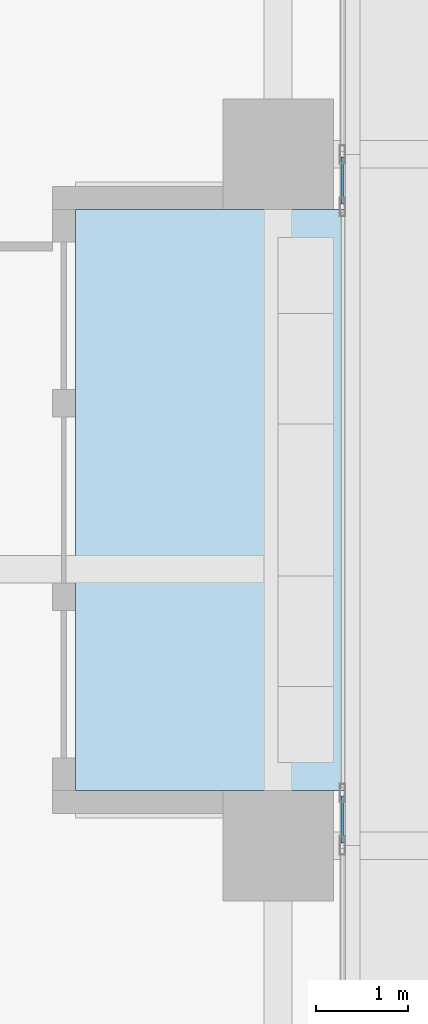
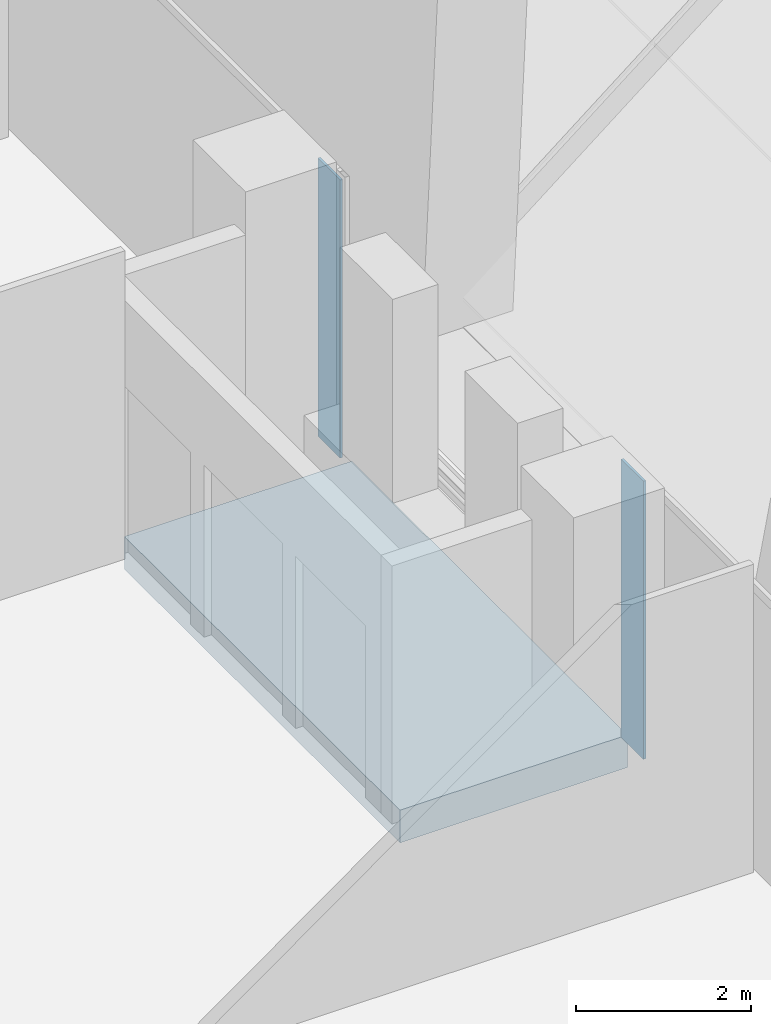
# One storey, part 29 of 46: 2 plates, 1 slab, 2 elements without a shape of their own.
"""IFC4 building model written with IfcOpenShell, lengths in metres."""

from ifc_helpers import new_model, si_unit, direction, frame, origin, origin_2d, place, context, subcontext, project, spatial, polyline, rectangle, outline, extrude, source, transform, mapped, material, layer, layer_set, type_object, element, aggregate, save


model = new_model("IFC4")

# Units and contexts
model_context = context("Model", 3, precision=1e-05, world=origin(), true_north=direction((0.0, 1.0)))
body_context = subcontext(model_context, "Body", "Model", "MODEL_VIEW")
ifc_project = project(units=[si_unit("LENGTHUNIT", "METRE"), si_unit("AREAUNIT", "SQUARE_METRE"), si_unit("VOLUMEUNIT", "CUBIC_METRE"), si_unit("PLANEANGLEUNIT", "RADIAN"), si_unit("MASSUNIT", "GRAM", prefix="KILO")], contexts=[model_context])

# Site, building, storey
site_placement = place(None, origin())
site = spatial("IfcSite", under=ifc_project, at=site_placement, CompositionType="ELEMENT")
building_placement = place(site_placement, origin())
building = spatial("IfcBuilding", under=site, at=building_placement, Name="Khomas Fold Tower", CompositionType="ELEMENT")
storey_placement = place(building_placement, frame((0.0, 0.0, 33.0)))
storey = spatial("IfcBuildingStorey", under=building, at=storey_placement, Name="L06", CompositionType="ELEMENT", Elevation=33.0)

# Curtain wall, plate
ifc_material_1 = material(Name="Aluminium framed double glazing", Category="aluminium")
curtain_wall_type = type_object("IfcCurtainWallType", Name="SK-Unitised clear-glass wall, growing floors CW1", PredefinedType="NOTDEFINED", material=ifc_material_1)
curtain_wall_1_placement = place(storey_placement, origin())
curtain_wall_1 = element("IfcCurtainWall", 1, at=curtain_wall_1_placement, inside=storey, type_object=curtain_wall_type, Name="CW1 run L06 03-0", PredefinedType="NOTDEFINED")
ifc_material_2 = material(Name="Clear double glazed unit")
ifc_layer_1 = layer(ifc_material_2, 0.031982421875)
ifc_layer_set_1 = layer_set([ifc_layer_1], Name="Clear double glazed unit")
plate_type = type_object("IfcPlateType", Name="SK-Unitised clear-glass wall, growing floors glass panel CW1-P", PredefinedType="CURTAIN_PANEL", material=ifc_layer_set_1)
shared_shape_1 = source(origin(), body_context, "Body", "SweptSolid", [
    extrude(rectangle(XDim=0.510009765625, YDim=0.031982421875, at=origin_2d()), origin(), (0.0, 0.0, 1.0), 3.8798828125),
])
plate_1_placement = place(storey_placement, frame((53.89990234375, 19.784912109375, 0.0), z_axis=(0.0, 0.0, 1.0), x_axis=(0.0, 1.0, 0.0)))
plate_1 = element("IfcPlate", 2, at=plate_1_placement, type_object=plate_type, Name="CW1 glass panel 4", PredefinedType="CURTAIN_PANEL", context=body_context, shape_type="MappedRepresentation", body=[
    mapped(shared_shape_1, transform((0.0, 0.0, 0.0))),
])
aggregate(curtain_wall_1, [plate_1])

curtain_wall_2_placement = place(storey_placement, origin())
curtain_wall_2 = element("IfcCurtainWall", 3, at=curtain_wall_2_placement, inside=storey, type_object=curtain_wall_type, Name="CW1 run L06 03-1", PredefinedType="NOTDEFINED")
plate_2_placement = place(storey_placement, frame((53.89990234375, 26.715087890625, 0.0), z_axis=(0.0, 0.0, 1.0), x_axis=(0.0, 1.0, 0.0)))
plate_2 = element("IfcPlate", 4, at=plate_2_placement, type_object=plate_type, Name="CW1 glass panel 1", PredefinedType="CURTAIN_PANEL", context=body_context, shape_type="MappedRepresentation", body=[
    mapped(shared_shape_1, transform((0.0, 0.0, 0.0))),
])
aggregate(curtain_wall_2, [plate_2])

# Slab
ifc_material_3 = material(Name="Concrete C40/50", Category="concrete")
ifc_layer_2 = layer(ifc_material_3, 0.455078125)
ifc_layer_set_2 = layer_set([ifc_layer_2], Name="Concrete C40/50")
slab_type = type_object("IfcSlabType", Name="BL-Balcony deck 455", PredefinedType="FLOOR", material=ifc_layer_set_2)
shared_shape_2 = source(origin(), body_context, "Body", "SweptSolid", [
    extrude(outline(polyline([(51.0, 20.10009765625), (54.0, 20.10009765625), (54.0, 26.39990234375), (51.0, 26.39990234375), (51.0, 20.10009765625)])), origin(), (0.0, 0.0, 1.0), 0.455078125),
])
slab_placement = place(storey_placement, frame((0.0, 0.0, -0.5)))
element("IfcSlab", 5, at=slab_placement, inside=storey, type_object=slab_type, Name="Balcony deck BAL-L06-E2", PredefinedType="FLOOR", context=body_context, shape_type="MappedRepresentation", body=[
    mapped(shared_shape_2, transform((0.0, 0.0, 0.0))),
])

save(model, "model.ifc")
